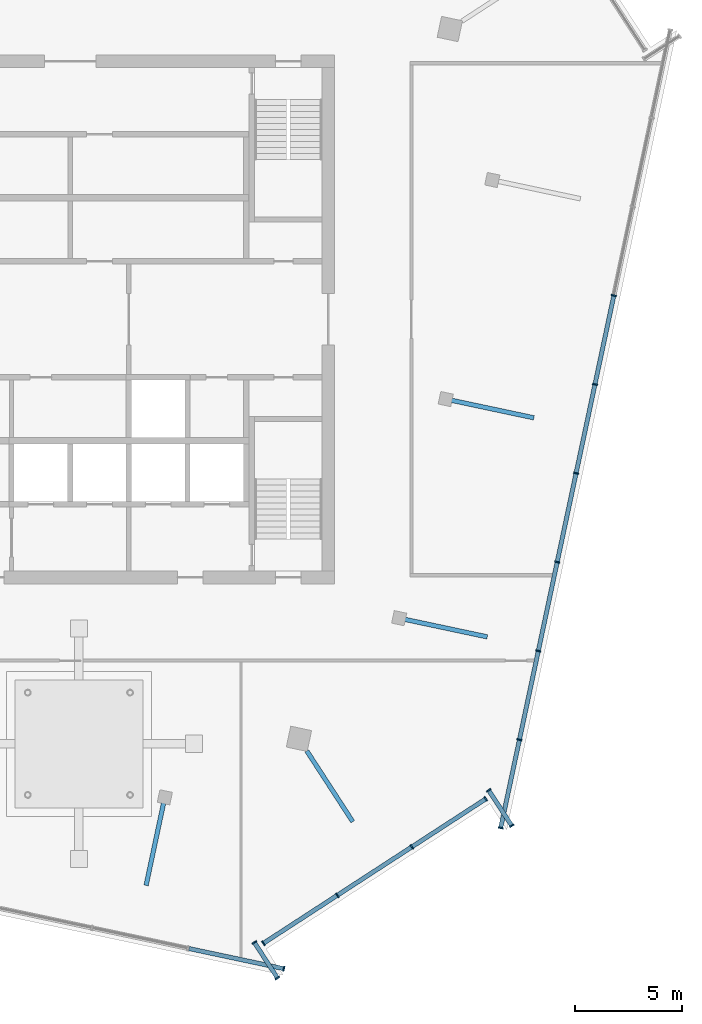
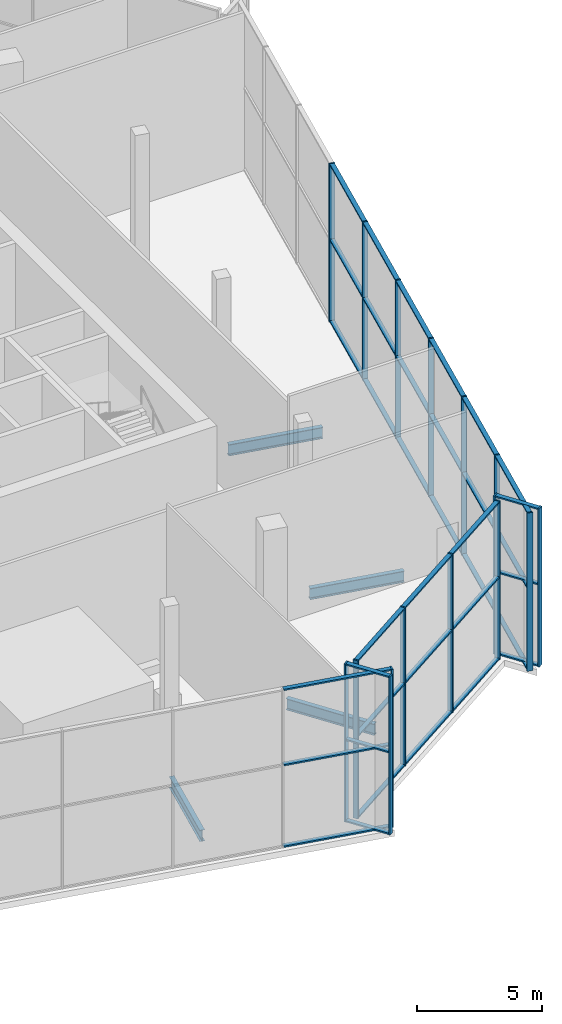
# One storey, part 4 of 14: 52 members, 4 beams, 5 elements without a shape of their own.
"""IFC4 building model written with IfcOpenShell, lengths in metres."""

from ifc_helpers import new_model, si_unit, direction, frame, origin, origin_2d, place, context, subcontext, project, spatial, rectangle, i_section, extrude, material, material_profile, profile_set, type_object, element, aggregate, save


model = new_model("IFC4")

# Units and contexts
model_context = context("Model", 3, precision=1e-05, world=origin(), true_north=direction((0.0, 1.0)))
body_context = subcontext(model_context, "Body", "Model", "MODEL_VIEW")
ifc_project = project(units=[si_unit("LENGTHUNIT", "METRE"), si_unit("AREAUNIT", "SQUARE_METRE"), si_unit("VOLUMEUNIT", "CUBIC_METRE"), si_unit("PLANEANGLEUNIT", "RADIAN"), si_unit("MASSUNIT", "GRAM", prefix="KILO")], contexts=[model_context])

# Site, building, storey
site_placement = place(None, origin())
site = spatial("IfcSite", under=ifc_project, at=site_placement, CompositionType="ELEMENT")
building_placement = place(site_placement, origin())
building = spatial("IfcBuilding", under=site, at=building_placement, Name="Dilmun Exchange Tower", CompositionType="ELEMENT")
storey_placement = place(building_placement, frame((0.0, 0.0, 350.10009765625)))
storey = spatial("IfcBuildingStorey", under=building, at=storey_placement, Name="Crown L83", CompositionType="ELEMENT", Elevation=350.10009765625)

# Curtain wall, member
ifc_material_1 = material(Name="Anodised aluminium and clear glass", Category="aluminium")
curtain_wall_type = type_object("IfcCurtainWallType", Name="Damper floor glazing", PredefinedType="NOTDEFINED", material=ifc_material_1)
curtain_wall_1_placement = place(storey_placement, origin())
curtain_wall_1 = element("IfcCurtainWall", 1, at=curtain_wall_1_placement, inside=storey, type_object=curtain_wall_type, Name="Damper floor glazing run DG3", PredefinedType="NOTDEFINED")
ifc_material_2 = material(Name="Anodised aluminium", Category="aluminium")
ifc_material_profile_1 = material_profile(ifc_material_2, rectangle(XDim=0.239990234375, YDim=0.070068359375, at=origin_2d()), Name="AL 70x240")
ifc_profile_set_1 = profile_set([ifc_material_profile_1], Name="Anodised aluminium")
member_type_1 = type_object("IfcMemberType", Name="Damper floor glazing mullion 70 x 240", PredefinedType="MULLION", material=ifc_profile_set_1)
member_1_placement = place(storey_placement, frame((10.0146484375, -30.447509765625, 0.0), z_axis=(0.0, 0.0, 1.0), x_axis=(0.207911409336, 0.978147660564, 0.0)))
member_1 = element("IfcMember", 2, at=member_1_placement, type_object=member_type_1, Name="DG3 mullion 8", PredefinedType="MULLION", context=body_context, shape_type="SweptSolid", body=[
    extrude(rectangle(XDim=0.239990234375, YDim=0.070068359375, at=origin_2d()), origin(), (0.0, 0.0, 1.0), 7.699951171875),
])

# Curtain wall, members
curtain_wall_2_placement = place(storey_placement, origin())
curtain_wall_2 = element("IfcCurtainWall", 3, at=curtain_wall_2_placement, inside=storey, type_object=curtain_wall_type, Name="Damper floor glazing run DG4", PredefinedType="NOTDEFINED")
member_2_placement = place(storey_placement, frame((9.7158203125, -30.88232421875, 0.0), z_axis=(0.0, 0.0, 1.0), x_axis=(-0.838661237307, -0.544653402669, 0.0)))
member_2 = element("IfcMember", 4, at=member_2_placement, type_object=member_type_1, Name="DG4 mullion 1", PredefinedType="MULLION", context=body_context, shape_type="SweptSolid", body=[
    extrude(rectangle(XDim=0.239990234375, YDim=0.070068359375, at=origin_2d()), origin(), (0.0, 0.0, 1.0), 7.699951171875),
])
member_3_placement = place(storey_placement, frame((8.633544921875, -29.2158203125, 0.0), z_axis=(0.0, 0.0, 1.0), x_axis=(-0.838661237307, -0.544653402669, 0.0)))
member_3 = element("IfcMember", 5, at=member_3_placement, type_object=member_type_1, Name="DG4 mullion 2", PredefinedType="MULLION", context=body_context, shape_type="SweptSolid", body=[
    extrude(rectangle(XDim=0.239990234375, YDim=0.070068359375, at=origin_2d()), origin(), (0.0, 0.0, 1.0), 7.699951171875),
])

curtain_wall_3_placement = place(storey_placement, origin())
curtain_wall_3 = element("IfcCurtainWall", 6, at=curtain_wall_3_placement, inside=storey, type_object=curtain_wall_type, Name="Damper floor glazing run DG5", PredefinedType="NOTDEFINED")
member_4_placement = place(storey_placement, frame((9.058837890625, -29.255615234375, 0.0), z_axis=(0.0, 0.0, 1.0), x_axis=(-0.544639059635, 0.838670551957, 0.0)))
member_4 = element("IfcMember", 7, at=member_4_placement, type_object=member_type_1, Name="DG5 mullion 1", PredefinedType="MULLION", context=body_context, shape_type="SweptSolid", body=[
    extrude(rectangle(XDim=0.239990234375, YDim=0.070068359375, at=origin_2d()), origin(), (0.0, 0.0, 1.0), 7.699951171875),
])
member_5_placement = place(storey_placement, frame((12.52392578125, -27.00537109375, 0.0), z_axis=(0.0, 0.0, 1.0), x_axis=(-0.544639059635, 0.838670551957, 0.0)))
member_5 = element("IfcMember", 8, at=member_5_placement, type_object=member_type_1, Name="DG5 mullion 2", PredefinedType="MULLION", context=body_context, shape_type="SweptSolid", body=[
    extrude(rectangle(XDim=0.239990234375, YDim=0.070068359375, at=origin_2d()), origin(), (0.0, 0.0, 1.0), 7.699951171875),
])
member_6_placement = place(storey_placement, frame((16.0185546875, -24.73583984375, 0.0), z_axis=(0.0, 0.0, 1.0), x_axis=(-0.544639059635, 0.838670551957, 0.0)))
member_6 = element("IfcMember", 9, at=member_6_placement, type_object=member_type_1, Name="DG5 mullion 3", PredefinedType="MULLION", context=body_context, shape_type="SweptSolid", body=[
    extrude(rectangle(XDim=0.239990234375, YDim=0.070068359375, at=origin_2d()), origin(), (0.0, 0.0, 1.0), 7.699951171875),
])
member_7_placement = place(storey_placement, frame((19.483642578125, -22.485595703125, 0.0), z_axis=(0.0, 0.0, 1.0), x_axis=(-0.544639059635, 0.838670551957, 0.0)))
member_7 = element("IfcMember", 10, at=member_7_placement, type_object=member_type_1, Name="DG5 mullion 4", PredefinedType="MULLION", context=body_context, shape_type="SweptSolid", body=[
    extrude(rectangle(XDim=0.239990234375, YDim=0.070068359375, at=origin_2d()), origin(), (0.0, 0.0, 1.0), 7.699951171875),
])

curtain_wall_4_placement = place(storey_placement, origin())
curtain_wall_4 = element("IfcCurtainWall", 11, at=curtain_wall_4_placement, inside=storey, type_object=curtain_wall_type, Name="Damper floor glazing run DG6", PredefinedType="NOTDEFINED")
member_8_placement = place(storey_placement, frame((19.6201171875, -22.0810546875, 0.0), z_axis=(0.0, 0.0, 1.0), x_axis=(0.838661237307, 0.544653402669, 0.0)))
member_8 = element("IfcMember", 12, at=member_8_placement, type_object=member_type_1, Name="DG6 mullion 1", PredefinedType="MULLION", context=body_context, shape_type="SweptSolid", body=[
    extrude(rectangle(XDim=0.239990234375, YDim=0.070068359375, at=origin_2d()), origin(), (0.0, 0.0, 1.0), 7.699951171875),
])
member_9_placement = place(storey_placement, frame((20.702392578125, -23.74755859375, 0.0), z_axis=(0.0, 0.0, 1.0), x_axis=(0.838661237307, 0.544653402669, 0.0)))
member_9 = element("IfcMember", 13, at=member_9_placement, type_object=member_type_1, Name="DG6 mullion 2", PredefinedType="MULLION", context=body_context, shape_type="SweptSolid", body=[
    extrude(rectangle(XDim=0.239990234375, YDim=0.070068359375, at=origin_2d()), origin(), (0.0, 0.0, 1.0), 7.699951171875),
])

curtain_wall_5_placement = place(storey_placement, origin())
curtain_wall_5 = element("IfcCurtainWall", 14, at=curtain_wall_5_placement, inside=storey, type_object=curtain_wall_type, Name="Damper floor glazing run DG7", PredefinedType="NOTDEFINED")
member_10_placement = place(storey_placement, frame((20.18359375, -23.84375, 0.0), z_axis=(0.0, 0.0, 1.0), x_axis=(-0.978147396203, 0.207912653058, 0.0)))
member_10 = element("IfcMember", 15, at=member_10_placement, type_object=member_type_1, Name="DG7 mullion 1", PredefinedType="MULLION", context=body_context, shape_type="SweptSolid", body=[
    extrude(rectangle(XDim=0.239990234375, YDim=0.070068359375, at=origin_2d()), origin(), (0.0, 0.0, 1.0), 7.699951171875),
])
member_11_placement = place(storey_placement, frame((21.061767578125, -19.712890625, 0.0), z_axis=(0.0, 0.0, 1.0), x_axis=(-0.978147396203, 0.207912653058, 0.0)))
member_11 = element("IfcMember", 16, at=member_11_placement, type_object=member_type_1, Name="DG7 mullion 2", PredefinedType="MULLION", context=body_context, shape_type="SweptSolid", body=[
    extrude(rectangle(XDim=0.239990234375, YDim=0.070068359375, at=origin_2d()), origin(), (0.0, 0.0, 1.0), 7.699951171875),
])
member_12_placement = place(storey_placement, frame((21.947021484375, -15.5478515625, 0.0), z_axis=(0.0, 0.0, 1.0), x_axis=(-0.978147396203, 0.207912653058, 0.0)))
member_12 = element("IfcMember", 17, at=member_12_placement, type_object=member_type_1, Name="DG7 mullion 3", PredefinedType="MULLION", context=body_context, shape_type="SweptSolid", body=[
    extrude(rectangle(XDim=0.239990234375, YDim=0.070068359375, at=origin_2d()), origin(), (0.0, 0.0, 1.0), 7.699951171875),
])
member_13_placement = place(storey_placement, frame((22.832275390625, -11.3828125, 0.0), z_axis=(0.0, 0.0, 1.0), x_axis=(-0.978147396203, 0.207912653058, 0.0)))
member_13 = element("IfcMember", 18, at=member_13_placement, type_object=member_type_1, Name="DG7 mullion 4", PredefinedType="MULLION", context=body_context, shape_type="SweptSolid", body=[
    extrude(rectangle(XDim=0.239990234375, YDim=0.070068359375, at=origin_2d()), origin(), (0.0, 0.0, 1.0), 7.699951171875),
])
member_14_placement = place(storey_placement, frame((23.717529296875, -7.218017578125, 0.0), z_axis=(0.0, 0.0, 1.0), x_axis=(-0.978147396203, 0.207912653058, 0.0)))
member_14 = element("IfcMember", 19, at=member_14_placement, type_object=member_type_1, Name="DG7 mullion 5", PredefinedType="MULLION", context=body_context, shape_type="SweptSolid", body=[
    extrude(rectangle(XDim=0.239990234375, YDim=0.070068359375, at=origin_2d()), origin(), (0.0, 0.0, 1.0), 7.699951171875),
])
member_15_placement = place(storey_placement, frame((24.602783203125, -3.052978515625, 0.0), z_axis=(0.0, 0.0, 1.0), x_axis=(-0.978147396203, 0.207912653058, 0.0)))
member_15 = element("IfcMember", 20, at=member_15_placement, type_object=member_type_1, Name="DG7 mullion 6", PredefinedType="MULLION", context=body_context, shape_type="SweptSolid", body=[
    extrude(rectangle(XDim=0.239990234375, YDim=0.070068359375, at=origin_2d()), origin(), (0.0, 0.0, 1.0), 7.699951171875),
])
member_16_placement = place(storey_placement, frame((25.48828125, 1.112060546875, 0.0), z_axis=(0.0, 0.0, 1.0), x_axis=(-0.978147396203, 0.207912653058, 0.0)))
member_16 = element("IfcMember", 21, at=member_16_placement, type_object=member_type_1, Name="DG7 mullion 7", PredefinedType="MULLION", context=body_context, shape_type="SweptSolid", body=[
    extrude(rectangle(XDim=0.239990234375, YDim=0.070068359375, at=origin_2d()), origin(), (0.0, 0.0, 1.0), 7.699951171875),
])

# Member
ifc_material_profile_2 = material_profile(ifc_material_2, rectangle(XDim=0.199951171875, YDim=0.070068359375, at=origin_2d()), Name="AL 70x200")
ifc_profile_set_2 = profile_set([ifc_material_profile_2], Name="Anodised aluminium")
member_type_2 = type_object("IfcMemberType", Name="Damper floor glazing transom 70 x 200", PredefinedType="USERDEFINED", material=ifc_profile_set_2)
member_17_placement = place(storey_placement, frame((5.566650390625, -29.501953125, 0.034912109375), z_axis=(0.978145510971, -0.207921522134, 0.0), x_axis=(0.207921522134, 0.978145510971, 0.0)))
member_17 = element("IfcMember", 22, at=member_17_placement, type_object=member_type_2, Name="DG3 transom 7.1", ObjectType="TRANSOM", PredefinedType="USERDEFINED", context=body_context, shape_type="SweptSolid", body=[
    extrude(rectangle(XDim=0.199951171875, YDim=0.070068359375, at=origin_2d()), origin(), (0.0, 0.0, 1.0), 4.512451171875),
])

member_18_placement = place(storey_placement, frame((5.566650390625, -29.501953125, 4.0), z_axis=(0.978145510971, -0.207921522134, 0.0), x_axis=(0.207921522134, 0.978145510971, 0.0)))
member_18 = element("IfcMember", 23, at=member_18_placement, type_object=member_type_2, Name="DG3 transom 7.2", ObjectType="TRANSOM", PredefinedType="USERDEFINED", context=body_context, shape_type="SweptSolid", body=[
    extrude(rectangle(XDim=0.199951171875, YDim=0.070068359375, at=origin_2d()), origin(), (0.0, 0.0, 1.0), 4.512451171875),
])

member_19_placement = place(storey_placement, frame((5.566650390625, -29.501953125, 7.664794921875), z_axis=(0.978145510971, -0.207921522134, 0.0), x_axis=(0.207921522134, 0.978145510971, 0.0)))
member_19 = element("IfcMember", 24, at=member_19_placement, type_object=member_type_2, Name="DG3 transom 7.3", ObjectType="TRANSOM", PredefinedType="USERDEFINED", context=body_context, shape_type="SweptSolid", body=[
    extrude(rectangle(XDim=0.199951171875, YDim=0.070068359375, at=origin_2d()), origin(), (0.0, 0.0, 1.0), 4.512451171875),
])

aggregate(curtain_wall_1, [member_1, member_17, member_18, member_19])

member_20_placement = place(storey_placement, frame((9.69677734375, -30.852783203125, 0.034912109375), z_axis=(-0.544697348527, 0.838632695826, 0.0), x_axis=(-0.838632695826, -0.544697348527, 0.0)))
member_20 = element("IfcMember", 25, at=member_20_placement, type_object=member_type_2, Name="DG4 transom 1.1", ObjectType="TRANSOM", PredefinedType="USERDEFINED", context=body_context, shape_type="SweptSolid", body=[
    extrude(rectangle(XDim=0.199951171875, YDim=0.070068359375, at=origin_2d()), origin(), (0.0, 0.0, 1.0), 1.9169921875),
])

member_21_placement = place(storey_placement, frame((9.69677734375, -30.852783203125, 4.0), z_axis=(-0.544697348527, 0.838632695826, 0.0), x_axis=(-0.838632695826, -0.544697348527, 0.0)))
member_21 = element("IfcMember", 26, at=member_21_placement, type_object=member_type_2, Name="DG4 transom 1.2", ObjectType="TRANSOM", PredefinedType="USERDEFINED", context=body_context, shape_type="SweptSolid", body=[
    extrude(rectangle(XDim=0.199951171875, YDim=0.070068359375, at=origin_2d()), origin(), (0.0, 0.0, 1.0), 1.9169921875),
])

member_22_placement = place(storey_placement, frame((9.69677734375, -30.852783203125, 7.664794921875), z_axis=(-0.544697348527, 0.838632695826, 0.0), x_axis=(-0.838632695826, -0.544697348527, 0.0)))
member_22 = element("IfcMember", 27, at=member_22_placement, type_object=member_type_2, Name="DG4 transom 1.3", ObjectType="TRANSOM", PredefinedType="USERDEFINED", context=body_context, shape_type="SweptSolid", body=[
    extrude(rectangle(XDim=0.199951171875, YDim=0.070068359375, at=origin_2d()), origin(), (0.0, 0.0, 1.0), 1.9169921875),
])

aggregate(curtain_wall_2, [member_2, member_3, member_20, member_21, member_22])

member_23_placement = place(storey_placement, frame((9.088134765625, -29.236572265625, 0.034912109375), z_axis=(0.838675623749, 0.544631249681, 0.0), x_axis=(-0.544631249681, 0.838675623749, 0.0)))
member_23 = element("IfcMember", 28, at=member_23_placement, type_object=member_type_2, Name="DG5 transom 1.1", ObjectType="TRANSOM", PredefinedType="USERDEFINED", context=body_context, shape_type="SweptSolid", body=[
    extrude(rectangle(XDim=0.199951171875, YDim=0.070068359375, at=origin_2d()), origin(), (0.0, 0.0, 1.0), 4.061767578125),
])

member_24_placement = place(storey_placement, frame((9.088134765625, -29.236572265625, 4.0), z_axis=(0.838675623749, 0.544631249681, 0.0), x_axis=(-0.544631249681, 0.838675623749, 0.0)))
member_24 = element("IfcMember", 29, at=member_24_placement, type_object=member_type_2, Name="DG5 transom 1.2", ObjectType="TRANSOM", PredefinedType="USERDEFINED", context=body_context, shape_type="SweptSolid", body=[
    extrude(rectangle(XDim=0.199951171875, YDim=0.070068359375, at=origin_2d()), origin(), (0.0, 0.0, 1.0), 4.061767578125),
])

member_25_placement = place(storey_placement, frame((9.088134765625, -29.236572265625, 7.664794921875), z_axis=(0.838675623749, 0.544631249681, 0.0), x_axis=(-0.544631249681, 0.838675623749, 0.0)))
member_25 = element("IfcMember", 30, at=member_25_placement, type_object=member_type_2, Name="DG5 transom 1.3", ObjectType="TRANSOM", PredefinedType="USERDEFINED", context=body_context, shape_type="SweptSolid", body=[
    extrude(rectangle(XDim=0.199951171875, YDim=0.070068359375, at=origin_2d()), origin(), (0.0, 0.0, 1.0), 4.061767578125),
])

member_26_placement = place(storey_placement, frame((12.55322265625, -26.986083984375, 0.034912109375), z_axis=(0.83867364553, 0.544634295921, 0.0), x_axis=(-0.544634295921, 0.83867364553, 0.0)))
member_26 = element("IfcMember", 31, at=member_26_placement, type_object=member_type_2, Name="DG5 transom 2.1", ObjectType="TRANSOM", PredefinedType="USERDEFINED", context=body_context, shape_type="SweptSolid", body=[
    extrude(rectangle(XDim=0.199951171875, YDim=0.070068359375, at=origin_2d()), origin(), (0.0, 0.0, 1.0), 4.0966796875),
])

member_27_placement = place(storey_placement, frame((12.55322265625, -26.986083984375, 4.0), z_axis=(0.83867364553, 0.544634295921, 0.0), x_axis=(-0.544634295921, 0.83867364553, 0.0)))
member_27 = element("IfcMember", 32, at=member_27_placement, type_object=member_type_2, Name="DG5 transom 2.2", ObjectType="TRANSOM", PredefinedType="USERDEFINED", context=body_context, shape_type="SweptSolid", body=[
    extrude(rectangle(XDim=0.199951171875, YDim=0.070068359375, at=origin_2d()), origin(), (0.0, 0.0, 1.0), 4.0966796875),
])

member_28_placement = place(storey_placement, frame((12.55322265625, -26.986083984375, 7.664794921875), z_axis=(0.83867364553, 0.544634295921, 0.0), x_axis=(-0.544634295921, 0.83867364553, 0.0)))
member_28 = element("IfcMember", 33, at=member_28_placement, type_object=member_type_2, Name="DG5 transom 2.3", ObjectType="TRANSOM", PredefinedType="USERDEFINED", context=body_context, shape_type="SweptSolid", body=[
    extrude(rectangle(XDim=0.199951171875, YDim=0.070068359375, at=origin_2d()), origin(), (0.0, 0.0, 1.0), 4.0966796875),
])

member_29_placement = place(storey_placement, frame((16.0478515625, -24.716796875, 0.034912109375), z_axis=(0.838657793214, 0.544658705871, 0.0), x_axis=(-0.544658705871, 0.838657793214, 0.0)))
member_29 = element("IfcMember", 34, at=member_29_placement, type_object=member_type_2, Name="DG5 transom 3.1", ObjectType="TRANSOM", PredefinedType="USERDEFINED", context=body_context, shape_type="SweptSolid", body=[
    extrude(rectangle(XDim=0.199951171875, YDim=0.070068359375, at=origin_2d()), origin(), (0.0, 0.0, 1.0), 4.0615234375),
])

member_30_placement = place(storey_placement, frame((16.0478515625, -24.716796875, 4.0), z_axis=(0.838657793214, 0.544658705871, 0.0), x_axis=(-0.544658705871, 0.838657793214, 0.0)))
member_30 = element("IfcMember", 35, at=member_30_placement, type_object=member_type_2, Name="DG5 transom 3.2", ObjectType="TRANSOM", PredefinedType="USERDEFINED", context=body_context, shape_type="SweptSolid", body=[
    extrude(rectangle(XDim=0.199951171875, YDim=0.070068359375, at=origin_2d()), origin(), (0.0, 0.0, 1.0), 4.0615234375),
])

member_31_placement = place(storey_placement, frame((16.0478515625, -24.716796875, 7.664794921875), z_axis=(0.838657793214, 0.544658705871, 0.0), x_axis=(-0.544658705871, 0.838657793214, 0.0)))
member_31 = element("IfcMember", 36, at=member_31_placement, type_object=member_type_2, Name="DG5 transom 3.3", ObjectType="TRANSOM", PredefinedType="USERDEFINED", context=body_context, shape_type="SweptSolid", body=[
    extrude(rectangle(XDim=0.199951171875, YDim=0.070068359375, at=origin_2d()), origin(), (0.0, 0.0, 1.0), 4.0615234375),
])

aggregate(curtain_wall_3, [member_4, member_5, member_6, member_7, member_23, member_24, member_25, member_26, member_27, member_28, member_29, member_30, member_31])

member_32_placement = place(storey_placement, frame((19.63916015625, -22.1103515625, 0.034912109375), z_axis=(0.544697348527, -0.838632695826, 0.0), x_axis=(0.838632695826, 0.544697348527, 0.0)))
member_32 = element("IfcMember", 37, at=member_32_placement, type_object=member_type_2, Name="DG6 transom 1.1", ObjectType="TRANSOM", PredefinedType="USERDEFINED", context=body_context, shape_type="SweptSolid", body=[
    extrude(rectangle(XDim=0.199951171875, YDim=0.070068359375, at=origin_2d()), origin(), (0.0, 0.0, 1.0), 1.9169921875),
])

member_33_placement = place(storey_placement, frame((19.63916015625, -22.1103515625, 4.0), z_axis=(0.544697348527, -0.838632695826, 0.0), x_axis=(0.838632695826, 0.544697348527, 0.0)))
member_33 = element("IfcMember", 38, at=member_33_placement, type_object=member_type_2, Name="DG6 transom 1.2", ObjectType="TRANSOM", PredefinedType="USERDEFINED", context=body_context, shape_type="SweptSolid", body=[
    extrude(rectangle(XDim=0.199951171875, YDim=0.070068359375, at=origin_2d()), origin(), (0.0, 0.0, 1.0), 1.9169921875),
])

member_34_placement = place(storey_placement, frame((19.63916015625, -22.1103515625, 7.664794921875), z_axis=(0.544697348527, -0.838632695826, 0.0), x_axis=(0.838632695826, 0.544697348527, 0.0)))
member_34 = element("IfcMember", 39, at=member_34_placement, type_object=member_type_2, Name="DG6 transom 1.3", ObjectType="TRANSOM", PredefinedType="USERDEFINED", context=body_context, shape_type="SweptSolid", body=[
    extrude(rectangle(XDim=0.199951171875, YDim=0.070068359375, at=origin_2d()), origin(), (0.0, 0.0, 1.0), 1.9169921875),
])

aggregate(curtain_wall_4, [member_8, member_9, member_32, member_33, member_34])

member_35_placement = place(storey_placement, frame((20.19091796875, -23.809326171875, 0.034912109375), z_axis=(0.20792695404, 0.978144356311, 0.0), x_axis=(-0.978144356311, 0.20792695404, 0.0)))
member_35 = element("IfcMember", 40, at=member_35_placement, type_object=member_type_2, Name="DG7 transom 1.1", ObjectType="TRANSOM", PredefinedType="USERDEFINED", context=body_context, shape_type="SweptSolid", body=[
    extrude(rectangle(XDim=0.199951171875, YDim=0.070068359375, at=origin_2d()), origin(), (0.0, 0.0, 1.0), 4.153076171875),
])

member_36_placement = place(storey_placement, frame((20.19091796875, -23.809326171875, 4.0), z_axis=(0.20792695404, 0.978144356311, 0.0), x_axis=(-0.978144356311, 0.20792695404, 0.0)))
member_36 = element("IfcMember", 41, at=member_36_placement, type_object=member_type_2, Name="DG7 transom 1.2", ObjectType="TRANSOM", PredefinedType="USERDEFINED", context=body_context, shape_type="SweptSolid", body=[
    extrude(rectangle(XDim=0.199951171875, YDim=0.070068359375, at=origin_2d()), origin(), (0.0, 0.0, 1.0), 4.153076171875),
])

member_37_placement = place(storey_placement, frame((20.19091796875, -23.809326171875, 7.664794921875), z_axis=(0.20792695404, 0.978144356311, 0.0), x_axis=(-0.978144356311, 0.20792695404, 0.0)))
member_37 = element("IfcMember", 42, at=member_37_placement, type_object=member_type_2, Name="DG7 transom 1.3", ObjectType="TRANSOM", PredefinedType="USERDEFINED", context=body_context, shape_type="SweptSolid", body=[
    extrude(rectangle(XDim=0.199951171875, YDim=0.070068359375, at=origin_2d()), origin(), (0.0, 0.0, 1.0), 4.153076171875),
])

member_38_placement = place(storey_placement, frame((21.069091796875, -19.6787109375, 0.034912109375), z_axis=(0.207884552878, 0.978153368688, 0.0), x_axis=(-0.978153368688, 0.207884552878, 0.0)))
member_38 = element("IfcMember", 43, at=member_38_placement, type_object=member_type_2, Name="DG7 transom 2.1", ObjectType="TRANSOM", PredefinedType="USERDEFINED", context=body_context, shape_type="SweptSolid", body=[
    extrude(rectangle(XDim=0.199951171875, YDim=0.070068359375, at=origin_2d()), origin(), (0.0, 0.0, 1.0), 4.18798828125),
])

member_39_placement = place(storey_placement, frame((21.069091796875, -19.6787109375, 4.0), z_axis=(0.207884552878, 0.978153368688, 0.0), x_axis=(-0.978153368688, 0.207884552878, 0.0)))
member_39 = element("IfcMember", 44, at=member_39_placement, type_object=member_type_2, Name="DG7 transom 2.2", ObjectType="TRANSOM", PredefinedType="USERDEFINED", context=body_context, shape_type="SweptSolid", body=[
    extrude(rectangle(XDim=0.199951171875, YDim=0.070068359375, at=origin_2d()), origin(), (0.0, 0.0, 1.0), 4.18798828125),
])

member_40_placement = place(storey_placement, frame((21.069091796875, -19.6787109375, 7.664794921875), z_axis=(0.207884552878, 0.978153368688, 0.0), x_axis=(-0.978153368688, 0.207884552878, 0.0)))
member_40 = element("IfcMember", 45, at=member_40_placement, type_object=member_type_2, Name="DG7 transom 2.3", ObjectType="TRANSOM", PredefinedType="USERDEFINED", context=body_context, shape_type="SweptSolid", body=[
    extrude(rectangle(XDim=0.199951171875, YDim=0.070068359375, at=origin_2d()), origin(), (0.0, 0.0, 1.0), 4.18798828125),
])

member_41_placement = place(storey_placement, frame((21.954345703125, -15.513671875, 0.034912109375), z_axis=(0.207884552878, 0.978153368688, 0.0), x_axis=(-0.978153368688, 0.207884552878, 0.0)))
member_41 = element("IfcMember", 46, at=member_41_placement, type_object=member_type_2, Name="DG7 transom 3.1", ObjectType="TRANSOM", PredefinedType="USERDEFINED", context=body_context, shape_type="SweptSolid", body=[
    extrude(rectangle(XDim=0.199951171875, YDim=0.070068359375, at=origin_2d()), origin(), (0.0, 0.0, 1.0), 4.18798828125),
])

member_42_placement = place(storey_placement, frame((21.954345703125, -15.513671875, 4.0), z_axis=(0.207884552878, 0.978153368688, 0.0), x_axis=(-0.978153368688, 0.207884552878, 0.0)))
member_42 = element("IfcMember", 47, at=member_42_placement, type_object=member_type_2, Name="DG7 transom 3.2", ObjectType="TRANSOM", PredefinedType="USERDEFINED", context=body_context, shape_type="SweptSolid", body=[
    extrude(rectangle(XDim=0.199951171875, YDim=0.070068359375, at=origin_2d()), origin(), (0.0, 0.0, 1.0), 4.18798828125),
])

member_43_placement = place(storey_placement, frame((21.954345703125, -15.513671875, 7.664794921875), z_axis=(0.207884552878, 0.978153368688, 0.0), x_axis=(-0.978153368688, 0.207884552878, 0.0)))
member_43 = element("IfcMember", 48, at=member_43_placement, type_object=member_type_2, Name="DG7 transom 3.3", ObjectType="TRANSOM", PredefinedType="USERDEFINED", context=body_context, shape_type="SweptSolid", body=[
    extrude(rectangle(XDim=0.199951171875, YDim=0.070068359375, at=origin_2d()), origin(), (0.0, 0.0, 1.0), 4.18798828125),
])

member_44_placement = place(storey_placement, frame((22.839599609375, -11.3486328125, 0.034912109375), z_axis=(0.207884552878, 0.978153368688, 0.0), x_axis=(-0.978153368688, 0.207884552878, 0.0)))
member_44 = element("IfcMember", 49, at=member_44_placement, type_object=member_type_2, Name="DG7 transom 4.1", ObjectType="TRANSOM", PredefinedType="USERDEFINED", context=body_context, shape_type="SweptSolid", body=[
    extrude(rectangle(XDim=0.199951171875, YDim=0.070068359375, at=origin_2d()), origin(), (0.0, 0.0, 1.0), 4.18798828125),
])

member_45_placement = place(storey_placement, frame((22.839599609375, -11.3486328125, 4.0), z_axis=(0.207884552878, 0.978153368688, 0.0), x_axis=(-0.978153368688, 0.207884552878, 0.0)))
member_45 = element("IfcMember", 50, at=member_45_placement, type_object=member_type_2, Name="DG7 transom 4.2", ObjectType="TRANSOM", PredefinedType="USERDEFINED", context=body_context, shape_type="SweptSolid", body=[
    extrude(rectangle(XDim=0.199951171875, YDim=0.070068359375, at=origin_2d()), origin(), (0.0, 0.0, 1.0), 4.18798828125),
])

member_46_placement = place(storey_placement, frame((22.839599609375, -11.3486328125, 7.664794921875), z_axis=(0.207884552878, 0.978153368688, 0.0), x_axis=(-0.978153368688, 0.207884552878, 0.0)))
member_46 = element("IfcMember", 51, at=member_46_placement, type_object=member_type_2, Name="DG7 transom 4.3", ObjectType="TRANSOM", PredefinedType="USERDEFINED", context=body_context, shape_type="SweptSolid", body=[
    extrude(rectangle(XDim=0.199951171875, YDim=0.070068359375, at=origin_2d()), origin(), (0.0, 0.0, 1.0), 4.18798828125),
])

member_47_placement = place(storey_placement, frame((23.724853515625, -7.18359375, 0.034912109375), z_axis=(0.207940328818, 0.978141513101, 0.0), x_axis=(-0.978141513101, 0.207940328818, 0.0)))
member_47 = element("IfcMember", 52, at=member_47_placement, type_object=member_type_2, Name="DG7 transom 5.1", ObjectType="TRANSOM", PredefinedType="USERDEFINED", context=body_context, shape_type="SweptSolid", body=[
    extrude(rectangle(XDim=0.199951171875, YDim=0.070068359375, at=origin_2d()), origin(), (0.0, 0.0, 1.0), 4.18798828125),
])

member_48_placement = place(storey_placement, frame((23.724853515625, -7.18359375, 4.0), z_axis=(0.207940328818, 0.978141513101, 0.0), x_axis=(-0.978141513101, 0.207940328818, 0.0)))
member_48 = element("IfcMember", 53, at=member_48_placement, type_object=member_type_2, Name="DG7 transom 5.2", ObjectType="TRANSOM", PredefinedType="USERDEFINED", context=body_context, shape_type="SweptSolid", body=[
    extrude(rectangle(XDim=0.199951171875, YDim=0.070068359375, at=origin_2d()), origin(), (0.0, 0.0, 1.0), 4.18798828125),
])

member_49_placement = place(storey_placement, frame((23.724853515625, -7.18359375, 7.664794921875), z_axis=(0.207940328818, 0.978141513101, 0.0), x_axis=(-0.978141513101, 0.207940328818, 0.0)))
member_49 = element("IfcMember", 54, at=member_49_placement, type_object=member_type_2, Name="DG7 transom 5.3", ObjectType="TRANSOM", PredefinedType="USERDEFINED", context=body_context, shape_type="SweptSolid", body=[
    extrude(rectangle(XDim=0.199951171875, YDim=0.070068359375, at=origin_2d()), origin(), (0.0, 0.0, 1.0), 4.18798828125),
])

member_50_placement = place(storey_placement, frame((24.610107421875, -3.018798828125, 0.034912109375), z_axis=(0.207928472445, 0.978144033538, 0.0), x_axis=(-0.978144033538, 0.207928472445, 0.0)))
member_50 = element("IfcMember", 55, at=member_50_placement, type_object=member_type_2, Name="DG7 transom 6.1", ObjectType="TRANSOM", PredefinedType="USERDEFINED", context=body_context, shape_type="SweptSolid", body=[
    extrude(rectangle(XDim=0.199951171875, YDim=0.070068359375, at=origin_2d()), origin(), (0.0, 0.0, 1.0), 4.188232421875),
])

member_51_placement = place(storey_placement, frame((24.610107421875, -3.018798828125, 4.0), z_axis=(0.207928472445, 0.978144033538, 0.0), x_axis=(-0.978144033538, 0.207928472445, 0.0)))
member_51 = element("IfcMember", 56, at=member_51_placement, type_object=member_type_2, Name="DG7 transom 6.2", ObjectType="TRANSOM", PredefinedType="USERDEFINED", context=body_context, shape_type="SweptSolid", body=[
    extrude(rectangle(XDim=0.199951171875, YDim=0.070068359375, at=origin_2d()), origin(), (0.0, 0.0, 1.0), 4.188232421875),
])

member_52_placement = place(storey_placement, frame((24.610107421875, -3.018798828125, 7.664794921875), z_axis=(0.207928472445, 0.978144033538, 0.0), x_axis=(-0.978144033538, 0.207928472445, 0.0)))
member_52 = element("IfcMember", 57, at=member_52_placement, type_object=member_type_2, Name="DG7 transom 6.3", ObjectType="TRANSOM", PredefinedType="USERDEFINED", context=body_context, shape_type="SweptSolid", body=[
    extrude(rectangle(XDim=0.199951171875, YDim=0.070068359375, at=origin_2d()), origin(), (0.0, 0.0, 1.0), 4.188232421875),
])

aggregate(curtain_wall_5, [member_10, member_11, member_12, member_13, member_14, member_15, member_16, member_35, member_36, member_37, member_38, member_39, member_40, member_41, member_42, member_43, member_44, member_45, member_46, member_47, member_48, member_49, member_50, member_51, member_52])

# Beams
ifc_material_3 = material(Name="Steel S355", Category="steel")
ifc_material_profile_3 = material_profile(ifc_material_3, i_section(OverallWidth=0.2099609375, OverallDepth=0.550048828125, WebThickness=0.010986328125, FlangeThickness=0.01708984375, FilletRadius=0.02392578125, at=origin_2d()), Name="IPE 550")
ifc_profile_set_3 = profile_set([ifc_material_profile_3], Name="Steel S355")
beam_type = type_object("IfcBeamType", Name="crown cantilever beam IPE 550", PredefinedType="BEAM", material=ifc_profile_set_3)
beam_1_placement = place(storey_placement, frame((4.380126953125, -22.678955078125, -0.5751953125), z_axis=(-0.207857277402, -0.978159165081, 0.0), x_axis=(0.978159165081, -0.207857277402, 0.0)))
element("IfcBeam", 58, at=beam_1_placement, inside=storey, type_object=beam_type, Name="Crown cantilever beam 8", PredefinedType="BEAM", context=body_context, shape_type="SweptSolid", body=[
    extrude(i_section(OverallWidth=0.2099609375, OverallDepth=0.550048828125, WebThickness=0.010986328125, FlangeThickness=0.01708984375, FilletRadius=0.02392578125, at=origin_2d()), origin(), (0.0, 0.0, 1.0), 3.949951171875),
])
beam_2_placement = place(storey_placement, frame((11.095458984375, -20.240478515625, -0.5751953125), z_axis=(0.544631981942, -0.838675148222, 0.0), x_axis=(0.838675148222, 0.544631981942, 0.0)))
element("IfcBeam", 59, at=beam_2_placement, inside=storey, type_object=beam_type, Name="Crown cantilever beam 9", PredefinedType="BEAM", context=body_context, shape_type="SweptSolid", body=[
    extrude(i_section(OverallWidth=0.2099609375, OverallDepth=0.550048828125, WebThickness=0.010986328125, FlangeThickness=0.01708984375, FilletRadius=0.02392578125, at=origin_2d()), origin(), (0.0, 0.0, 1.0), 3.94970703125),
])
for number, where, z_axis, x_axis, name in (
    (60, (15.69091796875, -14.06982421875, -0.5751953125), (0.978146596989, -0.207916413008, 0.0), (0.207916413008, 0.978146596989, 0.0), "Crown cantilever beam 10"),
    (61, (17.8740234375, -3.798828125, -0.5751953125), (0.978146596989, -0.207916413008, 0.0), (0.207916413008, 0.978146596989, 0.0), "Crown cantilever beam 11"),
):
    element("IfcBeam", number, at=place(storey_placement, frame(where, z_axis=z_axis, x_axis=x_axis)), inside=storey, type_object=beam_type, Name=name, PredefinedType="BEAM", context=body_context, shape_type="SweptSolid", body=[
        extrude(i_section(OverallWidth=0.2099609375, OverallDepth=0.550048828125, WebThickness=0.010986328125, FlangeThickness=0.01708984375, FilletRadius=0.02392578125, at=origin_2d()), origin(), (0.0, 0.0, 1.0), 3.9501953125),
    ])

save(model, "model.ifc")
